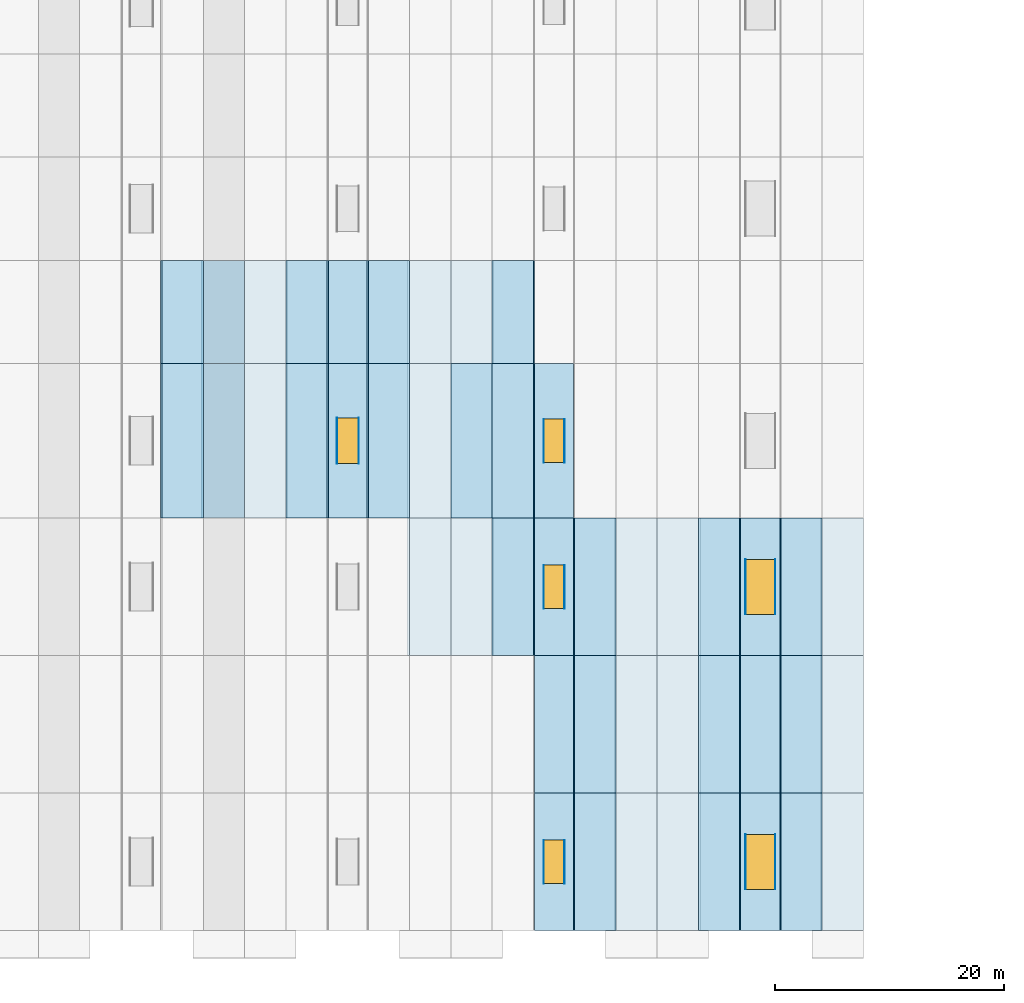
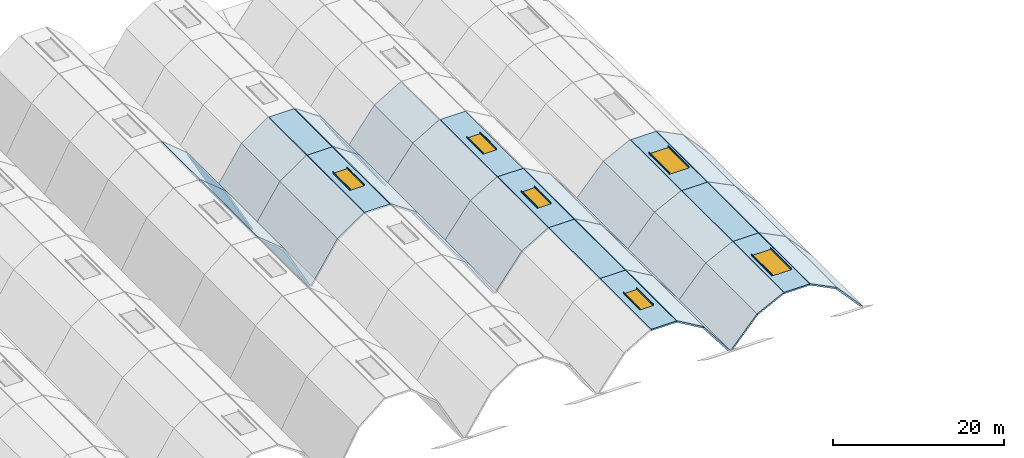
# One storey, part 4 of 11: 46 slabs, 12 plates, 6 windows, 6 openings.
"""IFC4 building model written with IfcOpenShell, lengths in metres."""

from ifc_helpers import new_model, si_unit, direction, frame, origin, origin_2d, place, context, subcontext, project, spatial, polyline, rectangle, outline, extrude, material, layer, layer_set, type_object, element, fill, save


model = new_model("IFC4")

# Units and contexts
model_context = context("Model", 3, precision=1e-05, world=origin(), true_north=direction((0.0, 1.0)))
body_context = subcontext(model_context, "Body", "Model", "MODEL_VIEW")
ifc_project = project(units=[si_unit("LENGTHUNIT", "METRE"), si_unit("AREAUNIT", "SQUARE_METRE"), si_unit("VOLUMEUNIT", "CUBIC_METRE"), si_unit("PLANEANGLEUNIT", "RADIAN"), si_unit("MASSUNIT", "GRAM", prefix="KILO")], contexts=[model_context])

# Site, building, storey
site_placement = place(None, origin())
site = spatial("IfcSite", under=ifc_project, at=site_placement, CompositionType="ELEMENT")
building_placement = place(site_placement, origin())
building = spatial("IfcBuilding", under=site, at=building_placement, Name="Chuanluo Vaults Station", CompositionType="ELEMENT")
storey_placement = place(building_placement, frame((0.0, 0.0, 24.0)))
storey = spatial("IfcBuildingStorey", under=building, at=storey_placement, Name="RF", CompositionType="ELEMENT", Elevation=24.0)

# Plates
ifc_material_1 = material(Name="Laminated safety skylight glass", Category="glass")
ifc_layer_1 = layer(ifc_material_1, 0.033935546875)
ifc_layer_set_1 = layer_set([ifc_layer_1], Name="Laminated safety skylight glass")
plate_type_1 = type_object("IfcPlateType", Name="PLT-SKY-01", PredefinedType="SHEET", material=ifc_layer_set_1)
plate_1_placement = place(storey_placement, frame((80.050048828125, 60.75, -1.85009765625), z_axis=(0.0, 0.0, 1.0), x_axis=(1.0, 0.0, 0.0)))
element("IfcPlate", 1, at=plate_1_placement, inside=storey, type_object=plate_type_1, Name="Vault V5 skylight kerb plate 23W", PredefinedType="SHEET", context=body_context, shape_type="SweptSolid", body=[
    extrude(rectangle(XDim=0.033935546875, YDim=4.0, at=origin_2d()), origin(), (0.0, 0.0, 1.0), 0.219970703125),
])
for number, where, z_axis, x_axis, name in (
    (2, (98.10009765625, 24.0, -3.0498046875), (0.0, 0.0, 1.0), (1.0, 0.0, 0.0), "Vault V6 skylight kerb plate 26W"),
    (3, (98.10009765625, 48.0, -3.0498046875), (0.0, 0.0, 1.0), (1.0, 0.0, 0.0), "Vault V6 skylight kerb plate 27W"),
    (4, (98.10009765625, 60.75, -3.0498046875), (0.0, 0.0, 1.0), (1.0, 0.0, 0.0), "Vault V6 skylight kerb plate 28W"),
):
    element("IfcPlate", number, at=place(storey_placement, frame(where, z_axis=z_axis, x_axis=x_axis)), inside=storey, type_object=plate_type_1, Name=name, PredefinedType="SHEET", context=body_context, shape_type="SweptSolid", body=[
        extrude(rectangle(XDim=0.033935546875, YDim=3.800048828125, at=origin_2d()), origin(), (0.0, 0.0, 1.0), 0.219970703125),
    ])
for number, where, z_axis, x_axis, name in (
    (5, (115.699951171875, 24.0, -4.0498046875), (0.0, 0.0, 1.0), (1.0, 0.0, 0.0), "Vault V7 skylight kerb plate 31W"),
    (6, (115.699951171875, 48.0, -4.0498046875), (0.0, 0.0, 1.0), (1.0, 0.0, 0.0), "Vault V7 skylight kerb plate 32W"),
):
    element("IfcPlate", number, at=place(storey_placement, frame(where, z_axis=z_axis, x_axis=x_axis)), inside=storey, type_object=plate_type_1, Name=name, PredefinedType="SHEET", context=body_context, shape_type="SweptSolid", body=[
        extrude(rectangle(XDim=0.033935546875, YDim=4.800048828125, at=origin_2d()), origin(), (0.0, 0.0, 1.0), 0.219970703125),
    ])
ifc_material_2 = material(Name="Laminated safety skylight glass", Category="glass")
ifc_layer_2 = layer(ifc_material_2, 0.030029296875)
ifc_layer_set_2 = layer_set([ifc_layer_2], Name="Laminated safety skylight glass")
plate_type_2 = type_object("IfcPlateType", Name="PLT-SKY-02", PredefinedType="SHEET", material=ifc_layer_set_2)
plate_2_placement = place(storey_placement, frame((81.949951171875, 60.75, -1.85009765625), z_axis=(0.0, 0.0, 1.0), x_axis=(1.0, 0.0, 0.0)))
element("IfcPlate", 7, at=plate_2_placement, inside=storey, type_object=plate_type_2, Name="Vault V5 skylight kerb plate 23E", PredefinedType="SHEET", context=body_context, shape_type="SweptSolid", body=[
    extrude(rectangle(XDim=0.030029296875, YDim=4.0, at=origin_2d()), origin(), (0.0, 0.0, 1.0), 0.219970703125),
])
for number, where, z_axis, x_axis, name in (
    (8, (99.89990234375, 24.0, -3.0498046875), (0.0, 0.0, 1.0), (1.0, 0.0, 0.0), "Vault V6 skylight kerb plate 26E"),
    (9, (99.89990234375, 48.0, -3.0498046875), (0.0, 0.0, 1.0), (1.0, 0.0, 0.0), "Vault V6 skylight kerb plate 27E"),
    (10, (99.89990234375, 60.75, -3.0498046875), (0.0, 0.0, 1.0), (1.0, 0.0, 0.0), "Vault V6 skylight kerb plate 28E"),
):
    element("IfcPlate", number, at=place(storey_placement, frame(where, z_axis=z_axis, x_axis=x_axis)), inside=storey, type_object=plate_type_2, Name=name, PredefinedType="SHEET", context=body_context, shape_type="SweptSolid", body=[
        extrude(rectangle(XDim=0.030029296875, YDim=3.800048828125, at=origin_2d()), origin(), (0.0, 0.0, 1.0), 0.219970703125),
    ])
for number, where, z_axis, x_axis, name in (
    (11, (118.300048828125, 24.0, -4.0498046875), (0.0, 0.0, 1.0), (1.0, 0.0, 0.0), "Vault V7 skylight kerb plate 31E"),
    (12, (118.300048828125, 48.0, -4.0498046875), (0.0, 0.0, 1.0), (1.0, 0.0, 0.0), "Vault V7 skylight kerb plate 32E"),
):
    element("IfcPlate", number, at=place(storey_placement, frame(where, z_axis=z_axis, x_axis=x_axis)), inside=storey, type_object=plate_type_2, Name=name, PredefinedType="SHEET", context=body_context, shape_type="SweptSolid", body=[
        extrude(rectangle(XDim=0.030029296875, YDim=4.800048828125, at=origin_2d()), origin(), (0.0, 0.0, 1.0), 0.219970703125),
    ])

# Slabs
ifc_material_3 = material(Name="Concrete C50", Category="concrete")
ifc_layer_3 = layer(ifc_material_3, 0.219970703125)
ifc_layer_set_3 = layer_set([ifc_layer_3], Name="Concrete C50")
slab_type = type_object("IfcSlabType", Name="SLB-VLT-220", PredefinedType="ROOF", material=ifc_layer_set_3)
slab_1_placement = place(storey_placement, frame((64.800048828125, 54.0, -0.25), z_axis=(0.637171823564, 0.0, 0.770721783302), x_axis=(0.770721783302, 0.0, -0.637171823564)))
element("IfcSlab", 13, at=slab_1_placement, inside=storey, type_object=slab_type, Name="Vault V4 planar roof facet 4-R2", PredefinedType="ROOF", context=body_context, shape_type="SweptSolid", body=[
    extrude(outline(polyline([(0.0, 0.0), (4.670756158211012, 0.0), (4.670756158211012, 13.5), (0.0, 13.5), (0.0, 0.0)])), origin(), (0.0, 0.0, -1.0), 0.219970703125),
])
slab_2_placement = place(storey_placement, frame((68.39990234375, 54.0, -3.22607421875), z_axis=(0.878619783786, 0.0, 0.477522015764), x_axis=(0.477522015764, 0.0, -0.878619783786)))
element("IfcSlab", 14, at=slab_2_placement, inside=storey, type_object=slab_type, Name="Vault V4 planar roof facet 4-R1", PredefinedType="ROOF", context=body_context, shape_type="SweptSolid", body=[
    extrude(outline(polyline([(0.0, 0.0), (7.539123930211392, 0.0), (7.539123930211392, 13.5), (0.0, 13.5), (0.0, 0.0)])), origin(), (0.0, 0.0, -1.0), 0.219970703125),
])
slab_3_placement = place(storey_placement, frame((64.800048828125, 67.5, -0.25), z_axis=(0.637171823564, 0.0, 0.770721783302), x_axis=(0.770721783302, 0.0, -0.637171823564)))
element("IfcSlab", 15, at=slab_3_placement, inside=storey, type_object=slab_type, Name="Vault V4 planar roof facet 5-R2", PredefinedType="ROOF", context=body_context, shape_type="SweptSolid", body=[
    extrude(outline(polyline([(0.0, 0.0), (4.670756158211012, 0.0), (4.670756158211012, 9.0), (0.0, 9.0), (0.0, 0.0)])), origin(), (0.0, 0.0, -1.0), 0.219970703125),
])
slab_4_placement = place(storey_placement, frame((68.39990234375, 67.5, -3.22607421875), z_axis=(0.878619783786, 0.0, 0.477522015764), x_axis=(0.477522015764, 0.0, -0.878619783786)))
element("IfcSlab", 16, at=slab_4_placement, inside=storey, type_object=slab_type, Name="Vault V4 planar roof facet 5-R1", PredefinedType="ROOF", context=body_context, shape_type="SweptSolid", body=[
    extrude(outline(polyline([(0.0, 0.0), (7.539123930211392, 0.0), (7.539123930211392, 9.0), (0.0, 9.0), (0.0, 0.0)])), origin(), (0.0, 0.0, -1.0), 0.219970703125),
])
slab_5_placement = place(storey_placement, frame((86.39990234375, 42.0, -4.330078125), z_axis=(0.837604700912, 0.0, 0.54627682086), x_axis=(0.54627682086, 0.0, -0.837604700912)))
element("IfcSlab", 17, at=slab_5_placement, inside=storey, type_object=slab_type, Name="Vault V5 planar roof facet 3-R1", PredefinedType="ROOF", context=body_context, shape_type="SweptSolid", body=[
    extrude(outline(polyline([(0.0, 0.0), (6.590244210946831, 0.0), (6.590244210946831, 12.0), (0.0, 12.0), (0.0, 0.0)])), origin(), (0.0, 0.0, -1.0), 0.219970703125),
])
slab_6_placement = place(storey_placement, frame((72.0, 54.0, -9.85009765625), z_axis=(-0.837604700912, 0.0, 0.54627682086), x_axis=(0.54627682086, 0.0, 0.837604700912)))
element("IfcSlab", 18, at=slab_6_placement, inside=storey, type_object=slab_type, Name="Vault V5 planar roof facet 4-L1", PredefinedType="ROOF", context=body_context, shape_type="SweptSolid", body=[
    extrude(outline(polyline([(0.0, 0.0), (6.590244210946831, 0.0), (6.590244210946831, 13.5), (0.0, 13.5), (0.0, 0.0)])), origin(), (0.0, 0.0, -1.0), 0.219970703125),
])
for number, where, z_axis, x_axis, name in (
    (19, (75.60009765625, 54.0, -4.330078125), (-0.567317861209, 0.0, 0.823498903675), (0.823498903675, 0.0, 0.567317861209), "Vault V5 planar roof facet 4-L2"),
    (20, (82.800048828125, 54.0, -1.85009765625), (0.567317861209, 0.0, 0.823498903675), (0.823498903675, 0.0, -0.567317861209), "Vault V5 planar roof facet 4-R2"),
):
    element("IfcSlab", number, at=place(storey_placement, frame(where, z_axis=z_axis, x_axis=x_axis)), inside=storey, type_object=slab_type, Name=name, PredefinedType="ROOF", context=body_context, shape_type="SweptSolid", body=[
        extrude(outline(polyline([(0.0, 0.0), (4.371412638877636, 0.0), (4.371412638877636, 13.5), (0.0, 13.5), (0.0, 0.0)])), origin(), (0.0, 0.0, -1.0), 0.219970703125),
    ])
slab_7_placement = place(storey_placement, frame((86.39990234375, 54.0, -4.330078125), z_axis=(0.837604700912, 0.0, 0.54627682086), x_axis=(0.54627682086, 0.0, -0.837604700912)))
element("IfcSlab", 21, at=slab_7_placement, inside=storey, type_object=slab_type, Name="Vault V5 planar roof facet 4-R1", PredefinedType="ROOF", context=body_context, shape_type="SweptSolid", body=[
    extrude(outline(polyline([(0.0, 0.0), (6.590244210946831, 0.0), (6.590244210946831, 13.5), (0.0, 13.5), (0.0, 0.0)])), origin(), (0.0, 0.0, -1.0), 0.219970703125),
])

# Slab, opening, window
slab_8_placement = place(storey_placement, frame((0.0, 0.0, -2.070068359375)))
slab_8 = element("IfcSlab", 22, at=slab_8_placement, inside=storey, type_object=slab_type, Name="Vault V5 crown skylight slab 4", PredefinedType="ROOF", context=body_context, shape_type="SweptSolid", body=[
    extrude(outline(polyline([(79.309814453125, 54.0), (82.690185546875, 54.0), (82.690185546875, 67.5), (79.309814453125, 67.5), (79.309814453125, 54.0)])), origin(), (0.0, 0.0, 1.0), 0.219970703125),
])
opening_1_placement = place(slab_8_placement, frame((81.0, 60.75, 0.0)))
opening_1 = element("IfcOpeningElement", 23, at=opening_1_placement, cuts=slab_8, Name="Opening SK-05", PredefinedType="OPENING", context=body_context, shape_type="SweptSolid", body=[
    extrude(rectangle(XDim=1.89990234375, YDim=4.0, at=origin_2d()), frame((0.0, 0.0, -0.01)), (0.0, 0.0, 1.0), 0.23997),
])
ifc_material_4 = material(Name="Laminated safety skylight glass", Category="glass")
window_type_1 = type_object("IfcWindowType", Name="SKY-VLT-1900x4000", PartitioningType="SINGLE_PANEL", PredefinedType="SKYLIGHT", material=ifc_material_4)
window_1_placement = place(opening_1_placement, frame((0.0, 0.0, 0.169921875)))
window_1 = element("IfcWindow", 24, at=window_1_placement, inside=storey, type_object=window_type_1, Name="Vault V5 ridge skylight 23", OverallHeight=4.0, OverallWidth=1.89990234375, PartitioningType="SINGLE_PANEL", PredefinedType="SKYLIGHT", context=body_context, shape_type="SweptSolid", body=[
    extrude(rectangle(XDim=1.89990234375, YDim=4.0, at=origin_2d()), origin(), (0.0, 0.0, 1.0), 0.050048828125),
])
fill(opening_1, window_1)

# Slabs
slab_9_placement = place(storey_placement, frame((72.0, 67.5, -9.85009765625), z_axis=(-0.837604700912, 0.0, 0.54627682086), x_axis=(0.54627682086, 0.0, 0.837604700912)))
element("IfcSlab", 25, at=slab_9_placement, inside=storey, type_object=slab_type, Name="Vault V5 planar roof facet 5-L1", PredefinedType="ROOF", context=body_context, shape_type="SweptSolid", body=[
    extrude(outline(polyline([(0.0, 0.0), (6.590244210946831, 0.0), (6.590244210946831, 9.0), (0.0, 9.0), (0.0, 0.0)])), origin(), (0.0, 0.0, -1.0), 0.219970703125),
])
for number, where, z_axis, x_axis, name in (
    (26, (75.60009765625, 67.5, -4.330078125), (-0.567317861209, 0.0, 0.823498903675), (0.823498903675, 0.0, 0.567317861209), "Vault V5 planar roof facet 5-L2"),
    (27, (82.800048828125, 67.5, -1.85009765625), (0.567317861209, 0.0, 0.823498903675), (0.823498903675, 0.0, -0.567317861209), "Vault V5 planar roof facet 5-R2"),
):
    element("IfcSlab", number, at=place(storey_placement, frame(where, z_axis=z_axis, x_axis=x_axis)), inside=storey, type_object=slab_type, Name=name, PredefinedType="ROOF", context=body_context, shape_type="SweptSolid", body=[
        extrude(outline(polyline([(0.0, 0.0), (4.371412638877636, 0.0), (4.371412638877636, 9.0), (0.0, 9.0), (0.0, 0.0)])), origin(), (0.0, 0.0, -1.0), 0.219970703125),
    ])
slab_10_placement = place(storey_placement, frame((86.39990234375, 67.5, -4.330078125), z_axis=(0.837604700912, 0.0, 0.54627682086), x_axis=(0.54627682086, 0.0, -0.837604700912)))
element("IfcSlab", 28, at=slab_10_placement, inside=storey, type_object=slab_type, Name="Vault V5 planar roof facet 5-R1", PredefinedType="ROOF", context=body_context, shape_type="SweptSolid", body=[
    extrude(outline(polyline([(0.0, 0.0), (6.590244210946831, 0.0), (6.590244210946831, 9.0), (0.0, 9.0), (0.0, 0.0)])), origin(), (0.0, 0.0, -1.0), 0.219970703125),
])
slab_11_placement = place(storey_placement, frame((0.0, 0.0, -2.070068359375)))
element("IfcSlab", 29, at=slab_11_placement, inside=storey, type_object=slab_type, Name="Vault V5 crown skylight slab 5", PredefinedType="ROOF", context=body_context, shape_type="SweptSolid", body=[
    extrude(outline(polyline([(79.309814453125, 67.5), (82.690185546875, 67.5), (82.690185546875, 76.5), (79.309814453125, 76.5), (79.309814453125, 67.5)])), origin(), (0.0, 0.0, 1.0), 0.219970703125),
])
slab_12_placement = place(storey_placement, frame((100.800048828125, 18.0, -3.050048828125), z_axis=(0.505300394389, 0.0, 0.862943515782), x_axis=(0.862943515782, 0.0, -0.505300394389)))
element("IfcSlab", 30, at=slab_12_placement, inside=storey, type_object=slab_type, Name="Vault V6 planar roof facet 1-R2", PredefinedType="ROOF", context=body_context, shape_type="SweptSolid", body=[
    extrude(outline(polyline([(0.0, 0.0), (4.171598082363589, 0.0), (4.171598082363589, 12.0), (0.0, 12.0), (0.0, 0.0)])), origin(), (0.0, 0.0, -1.0), 0.219970703125),
])
slab_13_placement = place(storey_placement, frame((104.39990234375, 18.0, -5.157958984375), z_axis=(0.793378408249, 0.0, 0.608728758418), x_axis=(0.608728758418, 0.0, -0.793378408249)))
element("IfcSlab", 31, at=slab_13_placement, inside=storey, type_object=slab_type, Name="Vault V6 planar roof facet 1-R1", PredefinedType="ROOF", context=body_context, shape_type="SweptSolid", body=[
    extrude(outline(polyline([(0.0, 0.0), (5.914124487245905, 0.0), (5.914124487245905, 12.0), (0.0, 12.0), (0.0, 0.0)])), origin(), (0.0, 0.0, -1.0), 0.219970703125),
])

# Slab, opening, window
slab_14_placement = place(storey_placement, frame((0.0, 0.0, -3.27001953125)))
slab_14 = element("IfcSlab", 32, at=slab_14_placement, inside=storey, type_object=slab_type, Name="Vault V6 crown skylight slab 1", PredefinedType="ROOF", context=body_context, shape_type="SweptSolid", body=[
    extrude(outline(polyline([(97.296142578125, 18.0), (100.703857421875, 18.0), (100.703857421875, 30.0), (97.296142578125, 30.0), (97.296142578125, 18.0)])), origin(), (0.0, 0.0, 1.0), 0.219970703125),
])
opening_2_placement = place(slab_14_placement, frame((99.0, 24.0, 0.0)))
opening_2 = element("IfcOpeningElement", 33, at=opening_2_placement, cuts=slab_14, Name="Opening SK-06", PredefinedType="OPENING", context=body_context, shape_type="SweptSolid", body=[
    extrude(rectangle(XDim=1.800048828125, YDim=3.800048828125, at=origin_2d()), frame((0.0, 0.0, -0.01)), (0.0, 0.0, 1.0), 0.23997),
])
ifc_material_5 = material(Name="Laminated safety skylight glass", Category="glass")
window_type_2 = type_object("IfcWindowType", Name="SKY-VLT-1800x3800", PartitioningType="SINGLE_PANEL", PredefinedType="SKYLIGHT", material=ifc_material_5)
window_2_placement = place(opening_2_placement, frame((0.0, 0.0, 0.169921875)))
window_2 = element("IfcWindow", 34, at=window_2_placement, inside=storey, type_object=window_type_2, Name="Vault V6 ridge skylight 26", OverallHeight=3.800048828125, OverallWidth=1.800048828125, PartitioningType="SINGLE_PANEL", PredefinedType="SKYLIGHT", context=body_context, shape_type="SweptSolid", body=[
    extrude(rectangle(XDim=1.800048828125, YDim=3.800048828125, at=origin_2d()), origin(), (0.0, 0.0, 1.0), 0.050048828125),
])
fill(opening_2, window_2)

# Slabs
slab_15_placement = place(storey_placement, frame((100.800048828125, 30.0, -3.050048828125), z_axis=(0.505300394389, 0.0, 0.862943515782), x_axis=(0.862943515782, 0.0, -0.505300394389)))
element("IfcSlab", 35, at=slab_15_placement, inside=storey, type_object=slab_type, Name="Vault V6 planar roof facet 2-R2", PredefinedType="ROOF", context=body_context, shape_type="SweptSolid", body=[
    extrude(outline(polyline([(0.0, 0.0), (4.171598082363589, 0.0), (4.171598082363589, 12.0), (0.0, 12.0), (0.0, 0.0)])), origin(), (0.0, 0.0, -1.0), 0.219970703125),
])
slab_16_placement = place(storey_placement, frame((104.39990234375, 30.0, -5.157958984375), z_axis=(0.793378408249, 0.0, 0.608728758418), x_axis=(0.608728758418, 0.0, -0.793378408249)))
element("IfcSlab", 36, at=slab_16_placement, inside=storey, type_object=slab_type, Name="Vault V6 planar roof facet 2-R1", PredefinedType="ROOF", context=body_context, shape_type="SweptSolid", body=[
    extrude(outline(polyline([(0.0, 0.0), (5.914124487245905, 0.0), (5.914124487245905, 12.0), (0.0, 12.0), (0.0, 0.0)])), origin(), (0.0, 0.0, -1.0), 0.219970703125),
])
slab_17_placement = place(storey_placement, frame((0.0, 0.0, -3.27001953125)))
element("IfcSlab", 37, at=slab_17_placement, inside=storey, type_object=slab_type, Name="Vault V6 crown skylight slab 2", PredefinedType="ROOF", context=body_context, shape_type="SweptSolid", body=[
    extrude(outline(polyline([(97.296142578125, 30.0), (100.703857421875, 30.0), (100.703857421875, 42.0), (97.296142578125, 42.0), (97.296142578125, 30.0)])), origin(), (0.0, 0.0, 1.0), 0.219970703125),
])
slab_18_placement = place(storey_placement, frame((90.0, 42.0, -9.85009765625), z_axis=(-0.793378408249, 0.0, 0.608728758418), x_axis=(0.608728758418, 0.0, 0.793378408249)))
element("IfcSlab", 38, at=slab_18_placement, inside=storey, type_object=slab_type, Name="Vault V6 planar roof facet 3-L1", PredefinedType="ROOF", context=body_context, shape_type="SweptSolid", body=[
    extrude(outline(polyline([(0.0, 0.0), (5.914124487245905, 0.0), (5.914124487245905, 12.0), (0.0, 12.0), (0.0, 0.0)])), origin(), (0.0, 0.0, -1.0), 0.219970703125),
])
for number, where, z_axis, x_axis, name in (
    (39, (93.60009765625, 42.0, -5.157958984375), (-0.505300394389, 0.0, 0.862943515782), (0.862943515782, 0.0, 0.505300394389), "Vault V6 planar roof facet 3-L2"),
    (40, (100.800048828125, 42.0, -3.050048828125), (0.505300394389, 0.0, 0.862943515782), (0.862943515782, 0.0, -0.505300394389), "Vault V6 planar roof facet 3-R2"),
):
    element("IfcSlab", number, at=place(storey_placement, frame(where, z_axis=z_axis, x_axis=x_axis)), inside=storey, type_object=slab_type, Name=name, PredefinedType="ROOF", context=body_context, shape_type="SweptSolid", body=[
        extrude(outline(polyline([(0.0, 0.0), (4.171598082363589, 0.0), (4.171598082363589, 12.0), (0.0, 12.0), (0.0, 0.0)])), origin(), (0.0, 0.0, -1.0), 0.219970703125),
    ])
slab_19_placement = place(storey_placement, frame((104.39990234375, 42.0, -5.157958984375), z_axis=(0.793378408249, 0.0, 0.608728758418), x_axis=(0.608728758418, 0.0, -0.793378408249)))
element("IfcSlab", 41, at=slab_19_placement, inside=storey, type_object=slab_type, Name="Vault V6 planar roof facet 3-R1", PredefinedType="ROOF", context=body_context, shape_type="SweptSolid", body=[
    extrude(outline(polyline([(0.0, 0.0), (5.914124487245905, 0.0), (5.914124487245905, 12.0), (0.0, 12.0), (0.0, 0.0)])), origin(), (0.0, 0.0, -1.0), 0.219970703125),
])

# Slab, opening, window
slab_20_placement = place(storey_placement, frame((0.0, 0.0, -3.27001953125)))
slab_20 = element("IfcSlab", 42, at=slab_20_placement, inside=storey, type_object=slab_type, Name="Vault V6 crown skylight slab 3", PredefinedType="ROOF", context=body_context, shape_type="SweptSolid", body=[
    extrude(outline(polyline([(97.296142578125, 42.0), (100.703857421875, 42.0), (100.703857421875, 54.0), (97.296142578125, 54.0), (97.296142578125, 42.0)])), origin(), (0.0, 0.0, 1.0), 0.219970703125),
])
opening_3_placement = place(slab_20_placement, frame((99.0, 48.0, 0.0)))
opening_3 = element("IfcOpeningElement", 43, at=opening_3_placement, cuts=slab_20, Name="Opening SK-06", PredefinedType="OPENING", context=body_context, shape_type="SweptSolid", body=[
    extrude(rectangle(XDim=1.800048828125, YDim=3.800048828125, at=origin_2d()), frame((0.0, 0.0, -0.01)), (0.0, 0.0, 1.0), 0.23997),
])
window_3_placement = place(opening_3_placement, frame((0.0, 0.0, 0.169921875)))
window_3 = element("IfcWindow", 44, at=window_3_placement, inside=storey, type_object=window_type_2, Name="Vault V6 ridge skylight 27", OverallHeight=3.800048828125, OverallWidth=1.800048828125, PartitioningType="SINGLE_PANEL", PredefinedType="SKYLIGHT", context=body_context, shape_type="SweptSolid", body=[
    extrude(rectangle(XDim=1.800048828125, YDim=3.800048828125, at=origin_2d()), origin(), (0.0, 0.0, 1.0), 0.050048828125),
])
fill(opening_3, window_3)

# Slabs
slab_21_placement = place(storey_placement, frame((90.0, 54.0, -9.85009765625), z_axis=(-0.793378408249, 0.0, 0.608728758418), x_axis=(0.608728758418, 0.0, 0.793378408249)))
element("IfcSlab", 45, at=slab_21_placement, inside=storey, type_object=slab_type, Name="Vault V6 planar roof facet 4-L1", PredefinedType="ROOF", context=body_context, shape_type="SweptSolid", body=[
    extrude(outline(polyline([(0.0, 0.0), (5.914124487245905, 0.0), (5.914124487245905, 13.5), (0.0, 13.5), (0.0, 0.0)])), origin(), (0.0, 0.0, -1.0), 0.219970703125),
])
slab_22_placement = place(storey_placement, frame((93.60009765625, 54.0, -5.157958984375), z_axis=(-0.505300394389, 0.0, 0.862943515782), x_axis=(0.862943515782, 0.0, 0.505300394389)))
element("IfcSlab", 46, at=slab_22_placement, inside=storey, type_object=slab_type, Name="Vault V6 planar roof facet 4-L2", PredefinedType="ROOF", context=body_context, shape_type="SweptSolid", body=[
    extrude(outline(polyline([(0.0, 0.0), (4.171598082363588, 0.0), (4.171598082363588, 13.499999999999998), (0.0, 13.499999999999998), (0.0, 0.0)])), origin(), (0.0, 0.0, -1.0), 0.219970703125),
])

# Slab, opening, window
slab_23_placement = place(storey_placement, frame((0.0, 0.0, -3.27001953125)))
slab_23 = element("IfcSlab", 47, at=slab_23_placement, inside=storey, type_object=slab_type, Name="Vault V6 crown skylight slab 4", PredefinedType="ROOF", context=body_context, shape_type="SweptSolid", body=[
    extrude(outline(polyline([(97.296142578125, 54.0), (100.703857421875, 54.0), (100.703857421875, 67.5), (97.296142578125, 67.5), (97.296142578125, 54.0)])), origin(), (0.0, 0.0, 1.0), 0.219970703125),
])
opening_4_placement = place(slab_23_placement, frame((99.0, 60.75, 0.0)))
opening_4 = element("IfcOpeningElement", 48, at=opening_4_placement, cuts=slab_23, Name="Opening SK-06", PredefinedType="OPENING", context=body_context, shape_type="SweptSolid", body=[
    extrude(rectangle(XDim=1.800048828125, YDim=3.800048828125, at=origin_2d()), frame((0.0, 0.0, -0.01)), (0.0, 0.0, 1.0), 0.23997),
])
window_4_placement = place(opening_4_placement, frame((0.0, 0.0, 0.169921875)))
window_4 = element("IfcWindow", 49, at=window_4_placement, inside=storey, type_object=window_type_2, Name="Vault V6 ridge skylight 28", OverallHeight=3.800048828125, OverallWidth=1.800048828125, PartitioningType="SINGLE_PANEL", PredefinedType="SKYLIGHT", context=body_context, shape_type="SweptSolid", body=[
    extrude(rectangle(XDim=1.800048828125, YDim=3.800048828125, at=origin_2d()), origin(), (0.0, 0.0, 1.0), 0.050048828125),
])
fill(opening_4, window_4)

# Slabs
slab_24_placement = place(storey_placement, frame((90.0, 67.5, -9.85009765625), z_axis=(-0.793378408249, 0.0, 0.608728758418), x_axis=(0.608728758418, 0.0, 0.793378408249)))
element("IfcSlab", 50, at=slab_24_placement, inside=storey, type_object=slab_type, Name="Vault V6 planar roof facet 5-L1", PredefinedType="ROOF", context=body_context, shape_type="SweptSolid", body=[
    extrude(outline(polyline([(0.0, 0.0), (5.914124487245905, 0.0), (5.914124487245905, 9.0), (0.0, 9.0), (0.0, 0.0)])), origin(), (0.0, 0.0, -1.0), 0.219970703125),
])
slab_25_placement = place(storey_placement, frame((93.60009765625, 67.5, -5.157958984375), z_axis=(-0.505300394389, 0.0, 0.862943515782), x_axis=(0.862943515782, 0.0, 0.505300394389)))
element("IfcSlab", 51, at=slab_25_placement, inside=storey, type_object=slab_type, Name="Vault V6 planar roof facet 5-L2", PredefinedType="ROOF", context=body_context, shape_type="SweptSolid", body=[
    extrude(outline(polyline([(0.0, 0.0), (4.171598082363588, 0.0), (4.171598082363588, 8.999999999999998), (0.0, 8.999999999999998), (0.0, 0.0)])), origin(), (0.0, 0.0, -1.0), 0.219970703125),
])
slab_26_placement = place(storey_placement, frame((108.0, 18.0, -9.85009765625), z_axis=(-0.74346776464, 0.0, 0.668771771938), x_axis=(0.668771771938, 0.0, 0.74346776464)))
element("IfcSlab", 52, at=slab_26_placement, inside=storey, type_object=slab_type, Name="Vault V7 planar roof facet 1-L1", PredefinedType="ROOF", context=body_context, shape_type="SweptSolid", body=[
    extrude(outline(polyline([(0.0, 0.0), (5.383148343442986, 0.0), (5.383148343442986, 12.0), (0.0, 12.0), (0.0, 0.0)])), origin(), (0.0, 0.0, -1.0), 0.219970703125),
])
for number, where, z_axis, x_axis, name in (
    (53, (111.60009765625, 18.0, -5.847900390625), (-0.446800966909, 0.0, 0.894633386348), (0.894633386348, 0.0, 0.446800966909), "Vault V7 planar roof facet 1-L2"),
    (54, (118.800048828125, 18.0, -4.050048828125), (0.446800966909, 0.0, 0.894633386348), (0.894633386348, 0.0, -0.446800966909), "Vault V7 planar roof facet 1-R2"),
):
    element("IfcSlab", number, at=place(storey_placement, frame(where, z_axis=z_axis, x_axis=x_axis)), inside=storey, type_object=slab_type, Name=name, PredefinedType="ROOF", context=body_context, shape_type="SweptSolid", body=[
        extrude(outline(polyline([(0.0, 0.0), (4.023830957525598, 0.0), (4.023830957525598, 12.000000000000004), (0.0, 12.000000000000004), (0.0, 0.0)])), origin(), (0.0, 0.0, -1.0), 0.219970703125),
    ])
slab_27_placement = place(storey_placement, frame((122.39990234375, 18.0, -5.847900390625), z_axis=(0.74346776464, 0.0, 0.668771771938), x_axis=(0.668771771938, 0.0, -0.74346776464)))
element("IfcSlab", 55, at=slab_27_placement, inside=storey, type_object=slab_type, Name="Vault V7 planar roof facet 1-R1", PredefinedType="ROOF", context=body_context, shape_type="SweptSolid", body=[
    extrude(outline(polyline([(0.0, 0.0), (5.383148343442986, 0.0), (5.383148343442986, 12.0), (0.0, 12.0), (0.0, 0.0)])), origin(), (0.0, 0.0, -1.0), 0.219970703125),
])

# Slab, opening, window
slab_28_placement = place(storey_placement, frame((0.0, 0.0, -4.27001953125)))
slab_28 = element("IfcSlab", 56, at=slab_28_placement, inside=storey, type_object=slab_type, Name="Vault V7 crown skylight slab 1", PredefinedType="ROOF", context=body_context, shape_type="SweptSolid", body=[
    extrude(outline(polyline([(115.283203125, 18.0), (118.716796875, 18.0), (118.716796875, 30.0), (115.283203125, 30.0), (115.283203125, 18.0)])), origin(), (0.0, 0.0, 1.0), 0.219970703125),
])
opening_5_placement = place(slab_28_placement, frame((117.0, 24.0, 0.0)))
opening_5 = element("IfcOpeningElement", 57, at=opening_5_placement, cuts=slab_28, Name="Opening SK-01", PredefinedType="OPENING", context=body_context, shape_type="SweptSolid", body=[
    extrude(rectangle(XDim=2.60009765625, YDim=4.800048828125, at=origin_2d()), frame((0.0, 0.0, -0.01)), (0.0, 0.0, 1.0), 0.23997),
])
ifc_material_6 = material(Name="Laminated safety skylight glass", Category="glass")
window_type_3 = type_object("IfcWindowType", Name="SKY-VLT-2600x4800", PartitioningType="SINGLE_PANEL", PredefinedType="SKYLIGHT", material=ifc_material_6)
window_5_placement = place(opening_5_placement, frame((0.0, 0.0, 0.169921875)))
window_5 = element("IfcWindow", 58, at=window_5_placement, inside=storey, type_object=window_type_3, Name="Vault V7 ridge skylight 31", OverallHeight=4.800048828125, OverallWidth=2.60009765625, PartitioningType="SINGLE_PANEL", PredefinedType="SKYLIGHT", context=body_context, shape_type="SweptSolid", body=[
    extrude(rectangle(XDim=2.60009765625, YDim=4.800048828125, at=origin_2d()), origin(), (0.0, 0.0, 1.0), 0.050048828125),
])
fill(opening_5, window_5)

# Slabs
slab_29_placement = place(storey_placement, frame((108.0, 30.0, -9.85009765625), z_axis=(-0.74346776464, 0.0, 0.668771771938), x_axis=(0.668771771938, 0.0, 0.74346776464)))
element("IfcSlab", 59, at=slab_29_placement, inside=storey, type_object=slab_type, Name="Vault V7 planar roof facet 2-L1", PredefinedType="ROOF", context=body_context, shape_type="SweptSolid", body=[
    extrude(outline(polyline([(0.0, 0.0), (5.383148343442986, 0.0), (5.383148343442986, 12.0), (0.0, 12.0), (0.0, 0.0)])), origin(), (0.0, 0.0, -1.0), 0.219970703125),
])
for number, where, z_axis, x_axis, name in (
    (60, (111.60009765625, 30.0, -5.847900390625), (-0.446800966909, 0.0, 0.894633386348), (0.894633386348, 0.0, 0.446800966909), "Vault V7 planar roof facet 2-L2"),
    (61, (118.800048828125, 30.0, -4.050048828125), (0.446800966909, 0.0, 0.894633386348), (0.894633386348, 0.0, -0.446800966909), "Vault V7 planar roof facet 2-R2"),
):
    element("IfcSlab", number, at=place(storey_placement, frame(where, z_axis=z_axis, x_axis=x_axis)), inside=storey, type_object=slab_type, Name=name, PredefinedType="ROOF", context=body_context, shape_type="SweptSolid", body=[
        extrude(outline(polyline([(0.0, 0.0), (4.023830957525598, 0.0), (4.023830957525598, 12.000000000000004), (0.0, 12.000000000000004), (0.0, 0.0)])), origin(), (0.0, 0.0, -1.0), 0.219970703125),
    ])
slab_30_placement = place(storey_placement, frame((122.39990234375, 30.0, -5.847900390625), z_axis=(0.74346776464, 0.0, 0.668771771938), x_axis=(0.668771771938, 0.0, -0.74346776464)))
element("IfcSlab", 62, at=slab_30_placement, inside=storey, type_object=slab_type, Name="Vault V7 planar roof facet 2-R1", PredefinedType="ROOF", context=body_context, shape_type="SweptSolid", body=[
    extrude(outline(polyline([(0.0, 0.0), (5.383148343442986, 0.0), (5.383148343442986, 12.0), (0.0, 12.0), (0.0, 0.0)])), origin(), (0.0, 0.0, -1.0), 0.219970703125),
])
slab_31_placement = place(storey_placement, frame((0.0, 0.0, -4.27001953125)))
element("IfcSlab", 63, at=slab_31_placement, inside=storey, type_object=slab_type, Name="Vault V7 crown skylight slab 2", PredefinedType="ROOF", context=body_context, shape_type="SweptSolid", body=[
    extrude(outline(polyline([(115.283203125, 30.0), (118.716796875, 30.0), (118.716796875, 42.0), (115.283203125, 42.0), (115.283203125, 30.0)])), origin(), (0.0, 0.0, 1.0), 0.219970703125),
])
slab_32_placement = place(storey_placement, frame((108.0, 42.0, -9.85009765625), z_axis=(-0.74346776464, 0.0, 0.668771771938), x_axis=(0.668771771938, 0.0, 0.74346776464)))
element("IfcSlab", 64, at=slab_32_placement, inside=storey, type_object=slab_type, Name="Vault V7 planar roof facet 3-L1", PredefinedType="ROOF", context=body_context, shape_type="SweptSolid", body=[
    extrude(outline(polyline([(0.0, 0.0), (5.383148343442986, 0.0), (5.383148343442986, 12.0), (0.0, 12.0), (0.0, 0.0)])), origin(), (0.0, 0.0, -1.0), 0.219970703125),
])
for number, where, z_axis, x_axis, name in (
    (65, (111.60009765625, 42.0, -5.847900390625), (-0.446800966909, 0.0, 0.894633386348), (0.894633386348, 0.0, 0.446800966909), "Vault V7 planar roof facet 3-L2"),
    (66, (118.800048828125, 42.0, -4.050048828125), (0.446800966909, 0.0, 0.894633386348), (0.894633386348, 0.0, -0.446800966909), "Vault V7 planar roof facet 3-R2"),
):
    element("IfcSlab", number, at=place(storey_placement, frame(where, z_axis=z_axis, x_axis=x_axis)), inside=storey, type_object=slab_type, Name=name, PredefinedType="ROOF", context=body_context, shape_type="SweptSolid", body=[
        extrude(outline(polyline([(0.0, 0.0), (4.023830957525598, 0.0), (4.023830957525598, 12.000000000000004), (0.0, 12.000000000000004), (0.0, 0.0)])), origin(), (0.0, 0.0, -1.0), 0.219970703125),
    ])
slab_33_placement = place(storey_placement, frame((122.39990234375, 42.0, -5.847900390625), z_axis=(0.74346776464, 0.0, 0.668771771938), x_axis=(0.668771771938, 0.0, -0.74346776464)))
element("IfcSlab", 67, at=slab_33_placement, inside=storey, type_object=slab_type, Name="Vault V7 planar roof facet 3-R1", PredefinedType="ROOF", context=body_context, shape_type="SweptSolid", body=[
    extrude(outline(polyline([(0.0, 0.0), (5.383148343442986, 0.0), (5.383148343442986, 12.0), (0.0, 12.0), (0.0, 0.0)])), origin(), (0.0, 0.0, -1.0), 0.219970703125),
])

# Slab, opening, window
slab_34_placement = place(storey_placement, frame((0.0, 0.0, -4.27001953125)))
slab_34 = element("IfcSlab", 68, at=slab_34_placement, inside=storey, type_object=slab_type, Name="Vault V7 crown skylight slab 3", PredefinedType="ROOF", context=body_context, shape_type="SweptSolid", body=[
    extrude(outline(polyline([(115.283203125, 42.0), (118.716796875, 42.0), (118.716796875, 54.0), (115.283203125, 54.0), (115.283203125, 42.0)])), origin(), (0.0, 0.0, 1.0), 0.219970703125),
])
opening_6_placement = place(slab_34_placement, frame((117.0, 48.0, 0.0)))
opening_6 = element("IfcOpeningElement", 69, at=opening_6_placement, cuts=slab_34, Name="Opening SK-01", PredefinedType="OPENING", context=body_context, shape_type="SweptSolid", body=[
    extrude(rectangle(XDim=2.60009765625, YDim=4.800048828125, at=origin_2d()), frame((0.0, 0.0, -0.01)), (0.0, 0.0, 1.0), 0.23997),
])
window_6_placement = place(opening_6_placement, frame((0.0, 0.0, 0.169921875)))
window_6 = element("IfcWindow", 70, at=window_6_placement, inside=storey, type_object=window_type_3, Name="Vault V7 ridge skylight 32", OverallHeight=4.800048828125, OverallWidth=2.60009765625, PartitioningType="SINGLE_PANEL", PredefinedType="SKYLIGHT", context=body_context, shape_type="SweptSolid", body=[
    extrude(rectangle(XDim=2.60009765625, YDim=4.800048828125, at=origin_2d()), origin(), (0.0, 0.0, 1.0), 0.050048828125),
])
fill(opening_6, window_6)

save(model, "model.ifc")
